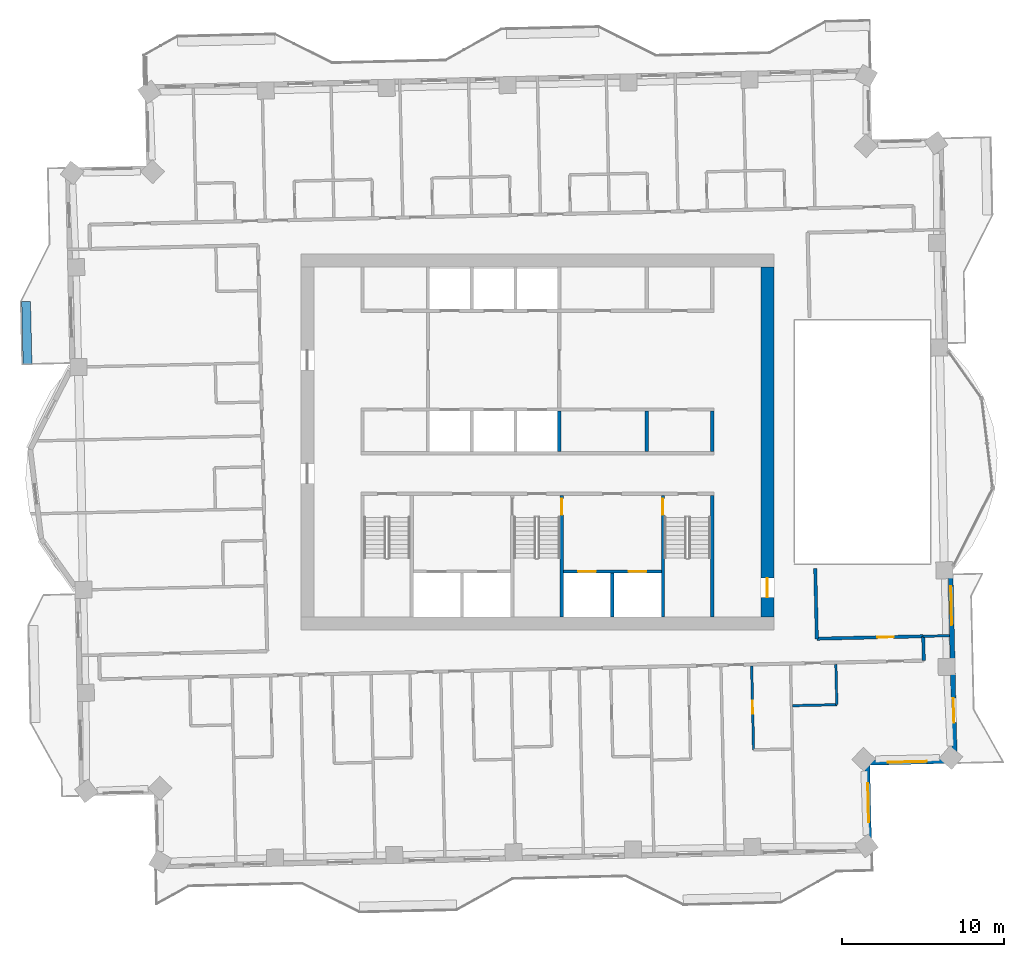
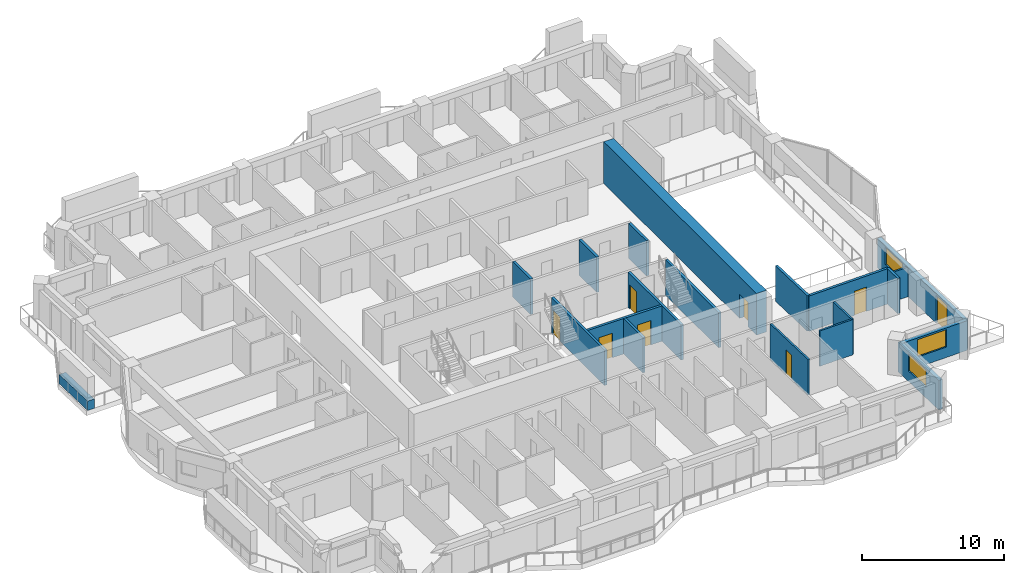
# One storey, part 9 of 17: 20 walls, 8 doors, 3 windows, 11 openings.
"""IFC4 building model written with IfcOpenShell, lengths in metres."""

from ifc_helpers import new_model, si_unit, direction, frame, frame_2d, origin, place, context, subcontext, project, spatial, rectangle, extrude, material, layer, layer_set, type_object, element, fill, save


model = new_model("IFC4")

# Units and contexts
model_context = context("Model", 3, precision=1e-05, world=origin(), true_north=direction((0.0, 1.0)))
body_context = subcontext(model_context, "Body", "Model", "MODEL_VIEW")
ifc_project = project(units=[si_unit("LENGTHUNIT", "METRE"), si_unit("AREAUNIT", "SQUARE_METRE"), si_unit("VOLUMEUNIT", "CUBIC_METRE"), si_unit("PLANEANGLEUNIT", "RADIAN"), si_unit("MASSUNIT", "GRAM", prefix="KILO")], contexts=[model_context])

# Site, building, storey
site_placement = place(None, origin())
site = spatial("IfcSite", under=ifc_project, at=site_placement, CompositionType="ELEMENT")
building_placement = place(site_placement, origin())
building = spatial("IfcBuilding", under=site, at=building_placement, Name="Mangrove Gate Tower", CompositionType="ELEMENT")
storey_placement = place(building_placement, frame((0.0, 0.0, 249.10009765625)))
storey = spatial("IfcBuildingStorey", under=building, at=storey_placement, Name="L63", CompositionType="ELEMENT", Elevation=249.10009765625)

# Walls
ifc_material_1 = material(Name="Concrete C32/40", Category="concrete")
ifc_layer_1 = layer(ifc_material_1, 0.199951171875)
ifc_layer_set_1 = layer_set([ifc_layer_1], Name="Core room wall 200 C32/40")
wall_type_1 = type_object("IfcWallType", Name="Core room wall 200 C32/40", PredefinedType="STANDARD", material=ifc_layer_set_1)
for number, where, z_axis, x_axis, name in (
    (1, (6.75, -0.60009765625, 0.0), (0.0, 0.0, 1.0), (0.0, 1.0, 0.0), "WALL-L63-CORE-24"),
    (2, (10.800048828125, -0.60009765625, 0.0), (0.0, 0.0, 1.0), (0.0, 1.0, 0.0), "WALL-L63-CORE-25"),
):
    element("IfcWall", number, at=place(storey_placement, frame(where, z_axis=z_axis, x_axis=x_axis)), inside=storey, type_object=wall_type_1, Name=name, PredefinedType="STANDARD", context=body_context, shape_type="SweptSolid", body=[
        extrude(rectangle(XDim=2.5, YDim=0.199951171875, at=frame_2d((1.25, 0.0))), origin(), (0.0, 0.0, 1.0), 3.0498046875),
    ])

# Wall, openings, doors
ifc_material_2 = material(Name="Concrete C60/75", Category="concrete")
ifc_layer_2 = layer(ifc_material_2, 0.199951171875)
ifc_layer_set_2 = layer_set([ifc_layer_2], Name="Core shaft wall 200 C60/75")
wall_type_2 = type_object("IfcWallType", Name="Core shaft wall 200 C60/75", PredefinedType="SHEAR", material=ifc_layer_set_2)
wall_1_placement = place(storey_placement, frame((1.60009765625, -8.0, 0.0), z_axis=(0.0, 0.0, 1.0), x_axis=(1.0, 0.0, 0.0)))
wall_1 = element("IfcWall", 3, at=wall_1_placement, inside=storey, type_object=wall_type_2, Name="WALL-L63-CORE-17", PredefinedType="SHEAR", context=body_context, shape_type="SweptSolid", body=[
    extrude(rectangle(XDim=6.0498046875, YDim=0.199951171875, at=frame_2d((3.02490234375, 0.0))), origin(), (0.0, 0.0, 1.0), 3.0498046875),
])
opening_1_placement = place(wall_1_placement, frame((0.91259765625, 0.0, 0.0)))
opening_1 = element("IfcOpeningElement", 4, at=opening_1_placement, cuts=wall_1, Name="Opening LD", PredefinedType="OPENING", context=body_context, shape_type="SweptSolid", body=[
    extrude(rectangle(XDim=1.10009765625, YDim=2.10009765625, at=frame_2d((0.550048828125, 1.050048828125))), frame((0.0, 0.10986328125, 0.0), z_axis=(0.0, -1.0, 0.0), x_axis=(1.0, 0.0, 0.0)), (0.0, 0.0, 1.0), 0.219970703125),
])
opening_2_placement = place(wall_1_placement, frame((4.03759765625, 0.0, 0.0)))
opening_2 = element("IfcOpeningElement", 5, at=opening_2_placement, cuts=wall_1, Name="Opening LD", PredefinedType="OPENING", context=body_context, shape_type="SweptSolid", body=[
    extrude(rectangle(XDim=1.10009765625, YDim=2.10009765625, at=frame_2d((0.550048828125, 1.050048828125))), frame((0.0, 0.10986328125, 0.0), z_axis=(0.0, -1.0, 0.0), x_axis=(1.0, 0.0, 0.0)), (0.0, 0.0, 1.0), 0.219970703125),
])
ifc_material_3 = material(Name="Stainless steel 316", Category="steel")
door_type_1 = type_object("IfcDoorType", Name="Lift landing door 1100x2100", OperationType="SLIDING_TO_LEFT", PredefinedType="DOOR", material=ifc_material_3)
door_1_placement = place(opening_1_placement, origin())
door_1 = element("IfcDoor", 6, at=door_1_placement, inside=storey, type_object=door_type_1, Name="Landing door LD FFL1", OperationType="SLIDING_TO_LEFT", OverallHeight=2.10009765625, OverallWidth=1.10009765625, PredefinedType="DOOR", context=body_context, shape_type="SweptSolid", body=[
    extrude(rectangle(XDim=1.10009765625, YDim=2.10009765625, at=frame_2d((0.550048828125, 1.050048828125))), frame((0.0, 0.02490234375, 0.0), z_axis=(0.0, -1.0, 0.0), x_axis=(1.0, 0.0, 0.0)), (0.0, 0.0, 1.0), 0.050048828125),
])
fill(opening_1, door_1)
door_2_placement = place(opening_2_placement, origin())
door_2 = element("IfcDoor", 7, at=door_2_placement, inside=storey, type_object=door_type_1, Name="Landing door LD FFL2", OperationType="SLIDING_TO_LEFT", OverallHeight=2.10009765625, OverallWidth=1.10009765625, PredefinedType="DOOR", context=body_context, shape_type="SweptSolid", body=[
    extrude(rectangle(XDim=1.10009765625, YDim=2.10009765625, at=frame_2d((0.550048828125, 1.050048828125))), frame((0.0, 0.02490234375, 0.0), z_axis=(0.0, -1.0, 0.0), x_axis=(1.0, 0.0, 0.0)), (0.0, 0.0, 1.0), 0.050048828125),
])
fill(opening_2, door_2)

# Walls
wall_2_placement = place(storey_placement, frame((4.625, -10.800048828125, 0.0), z_axis=(0.0, 0.0, 1.0), x_axis=(0.0, 1.0, 0.0)))
element("IfcWall", 8, at=wall_2_placement, inside=storey, type_object=wall_type_2, Name="WALL-L63-CORE-18", PredefinedType="SHEAR", context=body_context, shape_type="SweptSolid", body=[
    extrude(rectangle(XDim=2.699951171875, YDim=0.199951171875, at=frame_2d((1.35009765625, 0.0))), origin(), (0.0, 0.0, 1.0), 3.0498046875),
])
wall_3_placement = place(storey_placement, frame((1.35009765625, -0.60009765625, 0.0), z_axis=(0.0, 0.0, 1.0), x_axis=(0.0, 1.0, 0.0)))
element("IfcWall", 9, at=wall_3_placement, inside=storey, type_object=wall_type_2, Name="WALL-L63-CORE-23", PredefinedType="SHEAR", context=body_context, shape_type="SweptSolid", body=[
    extrude(rectangle(XDim=2.5, YDim=0.199951171875, at=frame_2d((1.25, 0.0))), origin(), (0.0, 0.0, 1.0), 3.0498046875),
])

# Wall, opening, door
ifc_material_4 = material(Name="Concrete C60/75", Category="concrete")
ifc_layer_3 = layer(ifc_material_4, 0.199951171875)
ifc_layer_set_3 = layer_set([ifc_layer_3], Name="Core stair wall 200 C60/75")
wall_type_3 = type_object("IfcWallType", Name="Core stair wall 200 C60/75", PredefinedType="SHEAR", material=ifc_layer_set_3)
wall_4_placement = place(storey_placement, frame((1.5, -10.800048828125, 0.0), z_axis=(0.0, 0.0, 1.0), x_axis=(0.0, 1.0, 0.0)))
wall_4 = element("IfcWall", 10, at=wall_4_placement, inside=storey, type_object=wall_type_3, Name="WALL-L63-CORE-12", PredefinedType="SHEAR", context=body_context, shape_type="SweptSolid", body=[
    extrude(rectangle(XDim=7.5, YDim=0.199951171875, at=frame_2d((3.75, 0.0))), origin(), (0.0, 0.0, 1.0), 3.0498046875),
])
opening_3_placement = place(wall_4_placement, frame((6.300048828125, 0.0, 0.0)))
opening_3 = element("IfcOpeningElement", 11, at=opening_3_placement, cuts=wall_4, Name="Opening STD10", PredefinedType="OPENING", context=body_context, shape_type="SweptSolid", body=[
    extrude(rectangle(XDim=1.0, YDim=2.10009765625, at=frame_2d((0.5, 1.050048828125))), frame((0.0, 0.10986328125, 0.0), z_axis=(0.0, -1.0, 0.0), x_axis=(1.0, 0.0, 0.0)), (0.0, 0.0, 1.0), 0.219970703125),
])
ifc_material_5 = material(Name="Fire-rated steel door set", Category="steel")
door_type_2 = type_object("IfcDoorType", Name="Stair door FD60 1000x2100", OperationType="SINGLE_SWING_RIGHT", PredefinedType="DOOR", material=ifc_material_5)
door_3_placement = place(opening_3_placement, origin())
door_3 = element("IfcDoor", 12, at=door_3_placement, inside=storey, type_object=door_type_2, Name="Stair door Stair 2 from fire-fighting lobby", OperationType="SINGLE_SWING_RIGHT", OverallHeight=2.10009765625, OverallWidth=1.0, PredefinedType="DOOR", context=body_context, shape_type="SweptSolid", body=[
    extrude(rectangle(XDim=1.0, YDim=2.10009765625, at=frame_2d((0.5, 1.050048828125))), frame((0.0, 0.02490234375, 0.0), z_axis=(0.0, -1.0, 0.0), x_axis=(1.0, 0.0, 0.0)), (0.0, 0.0, 1.0), 0.050048828125),
])
fill(opening_3, door_3)

wall_5_placement = place(storey_placement, frame((7.75, -10.800048828125, 0.0), z_axis=(0.0, 0.0, 1.0), x_axis=(0.0, 1.0, 0.0)))
wall_5 = element("IfcWall", 13, at=wall_5_placement, inside=storey, type_object=wall_type_3, Name="WALL-L63-CORE-13", PredefinedType="SHEAR", context=body_context, shape_type="SweptSolid", body=[
    extrude(rectangle(XDim=7.5, YDim=0.199951171875, at=frame_2d((3.75, 0.0))), origin(), (0.0, 0.0, 1.0), 3.0498046875),
])
opening_4_placement = place(wall_5_placement, frame((6.300048828125, 0.0, 0.0)))
opening_4 = element("IfcOpeningElement", 14, at=opening_4_placement, cuts=wall_5, Name="Opening STD10", PredefinedType="OPENING", context=body_context, shape_type="SweptSolid", body=[
    extrude(rectangle(XDim=1.0, YDim=2.10009765625, at=frame_2d((0.5, 1.050048828125))), frame((0.0, 0.10986328125, 0.0), z_axis=(0.0, -1.0, 0.0), x_axis=(1.0, 0.0, 0.0)), (0.0, 0.0, 1.0), 0.219970703125),
])
door_4_placement = place(opening_4_placement, origin())
door_4 = element("IfcDoor", 15, at=door_4_placement, inside=storey, type_object=door_type_2, Name="Stair door Stair 3 from fire-fighting lobby", OperationType="SINGLE_SWING_RIGHT", OverallHeight=2.10009765625, OverallWidth=1.0, PredefinedType="DOOR", context=body_context, shape_type="SweptSolid", body=[
    extrude(rectangle(XDim=1.0, YDim=2.10009765625, at=frame_2d((0.5, 1.050048828125))), frame((0.0, 0.02490234375, 0.0), z_axis=(0.0, -1.0, 0.0), x_axis=(1.0, 0.0, 0.0)), (0.0, 0.0, 1.0), 0.050048828125),
])
fill(opening_4, door_4)

# Wall
wall_6_placement = place(storey_placement, frame((10.800048828125, -10.800048828125, 0.0), z_axis=(0.0, 0.0, 1.0), x_axis=(0.0, 1.0, 0.0)))
element("IfcWall", 16, at=wall_6_placement, inside=storey, type_object=wall_type_3, Name="WALL-L63-CORE-14", PredefinedType="SHEAR", context=body_context, shape_type="SweptSolid", body=[
    extrude(rectangle(XDim=7.5, YDim=0.199951171875, at=frame_2d((3.75, 0.0))), origin(), (0.0, 0.0, 1.0), 3.0498046875),
])

# Wall, opening, door
ifc_material_6 = material(Name="Concrete C60/75", Category="concrete")
ifc_layer_4 = layer(ifc_material_6, 0.800048828125)
ifc_layer_set_4 = layer_set([ifc_layer_4], Name="Core wall 800 C60/75")
wall_type_4 = type_object("IfcWallType", Name="Core wall 800 C60/75", PredefinedType="SHEAR", material=ifc_layer_set_4)
wall_7_placement = place(storey_placement, frame((14.199951171875, -10.800048828125, 0.0), z_axis=(0.0, 0.0, 1.0), x_axis=(0.0, 1.0, 0.0)))
wall_7 = element("IfcWall", 17, at=wall_7_placement, inside=storey, type_object=wall_type_4, Name="WALL-L63-CORE-4", PredefinedType="SHEAR", context=body_context, shape_type="SweptSolid", body=[
    extrude(rectangle(XDim=21.60009765625, YDim=0.800048828125, at=frame_2d((10.800048828125, 0.0))), origin(), (0.0, 0.0, 1.0), 3.599853515625),
])
opening_5_placement = place(wall_7_placement, frame((1.199951171875, 0.0, 0.0)))
opening_5 = element("IfcOpeningElement", 18, at=opening_5_placement, cuts=wall_7, Name="Opening CD", PredefinedType="OPENING", context=body_context, shape_type="SweptSolid", body=[
    extrude(rectangle(XDim=1.199951171875, YDim=2.10009765625, at=frame_2d((0.60009765625, 1.050048828125))), frame((0.0, 0.409912109375, 0.0), z_axis=(0.0, -1.0, 0.0), x_axis=(1.0, 0.0, 0.0)), (0.0, 0.0, 1.0), 0.820068359375),
])
ifc_material_7 = material(Name="Fire-rated steel door set", Category="steel")
door_type_3 = type_object("IfcDoorType", Name="Core ring door FD60 1200x2100", OperationType="DOUBLE_DOOR_SINGLE_SWING", PredefinedType="DOOR", material=ifc_material_7)
door_5_placement = place(opening_5_placement, origin())
door_5 = element("IfcDoor", 19, at=door_5_placement, inside=storey, type_object=door_type_3, Name="Core ring door E1", OperationType="DOUBLE_DOOR_SINGLE_SWING", OverallHeight=2.10009765625, OverallWidth=1.199951171875, PredefinedType="DOOR", context=body_context, shape_type="SweptSolid", body=[
    extrude(rectangle(XDim=1.199951171875, YDim=2.10009765625, at=frame_2d((0.60009765625, 1.050048828125))), frame((0.0, 0.02490234375, 0.0), z_axis=(0.0, -1.0, 0.0), x_axis=(1.0, 0.0, 0.0)), (0.0, 0.0, 1.0), 0.050048828125),
])
fill(opening_5, door_5)

# Walls
ifc_material_8 = material(Name="Gypsum board on steel stud, EI 60", Category="steel")
ifc_layer_5 = layer(ifc_material_8, 0.199951171875)
ifc_layer_set_5 = layer_set([ifc_layer_5], Name="Corridor wall EI 60")
wall_type_5 = type_object("IfcWallType", Name="Corridor wall EI 60", PredefinedType="PARTITIONING", material=ifc_layer_set_5)
wall_8_placement = place(storey_placement, frame((23.85498046875, -13.5, 0.0), z_axis=(0.0, 0.0, 1.0), x_axis=(-0.022617910375, 0.999744182344, 0.0)))
element("IfcWall", 20, at=wall_8_placement, inside=storey, type_object=wall_type_5, Name="WALL-L63-031", PredefinedType="PARTITIONING", context=body_context, shape_type="SweptSolid", body=[
    extrude(rectangle(XDim=1.50048828125, YDim=0.199951171875, at=frame_2d((0.750244140625, 0.0))), origin(), (0.0, 0.0, 1.0), 3.0498046875),
])
wall_9_placement = place(storey_placement, frame((17.2529296875, -12.14892578125, 0.0), z_axis=(0.0, 0.0, 1.0), x_axis=(-0.022578158225, 0.999745080894, 0.0)))
element("IfcWall", 21, at=wall_9_placement, inside=storey, type_object=wall_type_5, Name="WALL-L63-034", PredefinedType="PARTITIONING", context=body_context, shape_type="SweptSolid", body=[
    extrude(rectangle(XDim=4.336181640625, YDim=0.199951171875, at=frame_2d((2.16796875, 0.0))), origin(), (0.0, 0.0, 1.0), 3.0498046875),
])

# Wall, opening, door
wall_10_placement = place(storey_placement, frame((17.248046875, -12.14501953125, 0.0), z_axis=(0.0, 0.0, 1.0), x_axis=(0.999743348025, 0.022654758434, 0.0)))
wall_10 = element("IfcWall", 22, at=wall_10_placement, inside=storey, type_object=wall_type_5, Name="WALL-L63-037", PredefinedType="PARTITIONING", context=body_context, shape_type="SweptSolid", body=[
    extrude(rectangle(XDim=6.57373046875, YDim=0.199951171875, at=frame_2d((3.286865234375, 0.0))), origin(), (0.0, 0.0, 1.0), 3.0498046875),
])
opening_6_placement = place(wall_10_placement, frame((3.75, 0.0, 0.0)))
opening_6 = element("IfcOpeningElement", 23, at=opening_6_placement, cuts=wall_10, Name="Opening AD", PredefinedType="OPENING", context=body_context, shape_type="SweptSolid", body=[
    extrude(rectangle(XDim=1.0, YDim=2.10009765625, at=frame_2d((0.5, 1.050048828125))), frame((0.0, 0.10986328125, 0.0), z_axis=(0.0, -1.0, 0.0), x_axis=(1.0, 0.0, 0.0)), (0.0, 0.0, 1.0), 0.219970703125),
])
ifc_material_9 = material(Name="Timber door leaf", Category="wood")
door_type_4 = type_object("IfcDoorType", Name="Amenity door 1000", OperationType="SINGLE_SWING_LEFT", PredefinedType="DOOR", material=ifc_material_9)
door_6_placement = place(opening_6_placement, origin())
door_6 = element("IfcDoor", 24, at=door_6_placement, inside=storey, type_object=door_type_4, Name="DOOR-L63-KIT-c3b", OperationType="SINGLE_SWING_LEFT", OverallHeight=2.10009765625, OverallWidth=1.0, PredefinedType="DOOR", context=body_context, shape_type="SweptSolid", body=[
    extrude(rectangle(XDim=1.0, YDim=2.10009765625, at=frame_2d((0.5, 1.050048828125))), frame((0.0, 0.02490234375, 0.0), z_axis=(0.0, -1.0, 0.0), x_axis=(1.0, 0.0, 0.0)), (0.0, 0.0, 1.0), 0.050048828125),
])
fill(opening_6, door_6)

# Wall, openings, door, window
ifc_material_10 = material(Name="Limestone", Category="masonry")
ifc_layer_6 = layer(ifc_material_10, 0.0400390625, Name="Limestone cladding")
ifc_material_11 = material(Name="Ventilated air gap")
ifc_layer_7 = layer(ifc_material_11, 0.0400390625, Name="Ventilated cavity")
ifc_material_12 = material(Name="Mineral wool insulation")
ifc_layer_8 = layer(ifc_material_12, 0.06005859375, Name="Insulation")
ifc_material_13 = material(Name="Breather membrane")
ifc_layer_9 = layer(ifc_material_13, 0.001953125, Name="Breather membrane")
ifc_material_14 = material(Name="Concrete C20/25 blockwork", Category="masonry")
ifc_layer_10 = layer(ifc_material_14, 0.14990234375, Name="Blockwork backing wall")
ifc_material_15 = material(Name="Gypsum plaster")
ifc_layer_11 = layer(ifc_material_15, 0.008056640625, Name="Internal plaster")
ifc_layer_set_6 = layer_set([ifc_layer_6, ifc_layer_7, ifc_layer_8, ifc_layer_9, ifc_layer_10, ifc_layer_11], Name="External wall 300 limestone cladding")
wall_type_6 = type_object("IfcWallType", Name="External wall 300 limestone cladding", PredefinedType="SOLIDWALL", material=ifc_layer_set_6)
wall_11_placement = place(storey_placement, frame((25.77001953125, -19.68408203125, 0.0), z_axis=(0.0, 0.0, 1.0), x_axis=(-0.022659525999, 0.999743239978, 0.0)))
wall_11 = element("IfcWall", 25, at=wall_11_placement, inside=storey, type_object=wall_type_6, Name="WALL-L63-E0", PredefinedType="SOLIDWALL", context=body_context, shape_type="SweptSolid", body=[
    extrude(rectangle(XDim=11.830078125, YDim=0.300048828125, at=frame_2d((5.9150390625, 0.0))), origin(), (0.0, 0.0, 1.0), 2.5498046875),
])
opening_7_placement = place(wall_11_placement, frame((2.365966796875, 0.0, 0.0)))
opening_7 = element("IfcOpeningElement", 26, at=opening_7_placement, cuts=wall_11, Name="Opening BD1", PredefinedType="OPENING", context=body_context, shape_type="SweptSolid", body=[
    extrude(rectangle(XDim=1.5, YDim=2.39990234375, at=frame_2d((0.75, 1.199951171875))), frame((0.0, 0.159912109375, 0.0), z_axis=(0.0, -1.0, 0.0), x_axis=(1.0, 0.0, 0.0)), (0.0, 0.0, 1.0), 0.320068359375),
])
opening_8_placement = place(wall_11_placement, frame((8.387939453125, 0.0, 0.89990234375)))
opening_8 = element("IfcOpeningElement", 27, at=opening_8_placement, cuts=wall_11, Name="Opening W2", PredefinedType="OPENING", context=body_context, shape_type="SweptSolid", body=[
    extrude(rectangle(XDim=2.39990234375, YDim=1.5, at=frame_2d((1.199951171875, 0.75))), frame((0.0, 0.159912109375, 0.0), z_axis=(0.0, -1.0, 0.0), x_axis=(1.0, 0.0, 0.0)), (0.0, 0.0, 1.0), 0.320068359375),
])
ifc_material_16 = material(Name="Aluminium frame with laminated clear glass", Category="aluminium")
door_type_5 = type_object("IfcDoorType", Name="Balcony sliding door 1500x2400", OperationType="SLIDING_TO_LEFT", PredefinedType="DOOR", material=ifc_material_16)
door_7_placement = place(opening_7_placement, origin())
door_7 = element("IfcDoor", 28, at=door_7_placement, inside=storey, type_object=door_type_5, Name="DOOR-L63-E0-1", OperationType="SLIDING_TO_LEFT", OverallHeight=2.39990234375, OverallWidth=1.5, PredefinedType="DOOR", context=body_context, shape_type="SweptSolid", body=[
    extrude(rectangle(XDim=1.5, YDim=2.39990234375, at=frame_2d((0.75, 1.199951171875))), frame((0.0, 0.02490234375, 0.0), z_axis=(0.0, -1.0, 0.0), x_axis=(1.0, 0.0, 0.0)), (0.0, 0.0, 1.0), 0.050048828125),
])
fill(opening_7, door_7)
ifc_material_17 = material(Name="Aluminium frame with double-glazed low-e glass", Category="aluminium")
window_type = type_object("IfcWindowType", Name="Corner room window 2400x1500", PartitioningType="DOUBLE_PANEL_VERTICAL", PredefinedType="WINDOW", material=ifc_material_17)
window_1_placement = place(opening_8_placement, origin())
window_1 = element("IfcWindow", 29, at=window_1_placement, inside=storey, type_object=window_type, Name="WIN-L63-E0-2", OverallHeight=1.5, OverallWidth=2.39990234375, PartitioningType="DOUBLE_PANEL_VERTICAL", PredefinedType="WINDOW", context=body_context, shape_type="SweptSolid", body=[
    extrude(rectangle(XDim=2.39990234375, YDim=1.5, at=frame_2d((1.199951171875, 0.75))), frame((0.0, 0.030029296875, 0.0), z_axis=(0.0, -1.0, 0.0), x_axis=(1.0, 0.0, 0.0)), (0.0, 0.0, 1.0), 0.06005859375),
])
fill(opening_8, window_1)

# Wall, opening, window
wall_12_placement = place(storey_placement, frame((20.493896484375, -25.205078125, 0.0), z_axis=(0.0, 0.0, 1.0), x_axis=(-0.022675486817, 0.999742878093, 0.0)))
wall_12 = element("IfcWall", 30, at=wall_12_placement, inside=storey, type_object=wall_type_6, Name="WALL-L63-E14s1", PredefinedType="SOLIDWALL", context=body_context, shape_type="SweptSolid", body=[
    extrude(rectangle(XDim=5.5556640625, YDim=0.300048828125, at=frame_2d((2.77783203125, 0.0))), origin(), (0.0, 0.0, 1.0), 2.5498046875),
])
opening_9_placement = place(wall_12_placement, frame((1.742919921875, 0.0, 0.89990234375)))
opening_9 = element("IfcOpeningElement", 31, at=opening_9_placement, cuts=wall_12, Name="Opening W2", PredefinedType="OPENING", context=body_context, shape_type="SweptSolid", body=[
    extrude(rectangle(XDim=2.39990234375, YDim=1.5, at=frame_2d((1.199951171875, 0.75))), frame((0.0, 0.159912109375, 0.0), z_axis=(0.0, -1.0, 0.0), x_axis=(1.0, 0.0, 0.0)), (0.0, 0.0, 1.0), 0.320068359375),
])
window_2_placement = place(opening_9_placement, origin())
window_2 = element("IfcWindow", 32, at=window_2_placement, inside=storey, type_object=window_type, Name="WIN-L63-E14-1", OverallHeight=1.5, OverallWidth=2.39990234375, PartitioningType="DOUBLE_PANEL_VERTICAL", PredefinedType="WINDOW", context=body_context, shape_type="SweptSolid", body=[
    extrude(rectangle(XDim=2.39990234375, YDim=1.5, at=frame_2d((1.199951171875, 0.75))), frame((0.0, 0.030029296875, 0.0), z_axis=(0.0, -1.0, 0.0), x_axis=(1.0, 0.0, 0.0)), (0.0, 0.0, 1.0), 0.06005859375),
])
fill(opening_9, window_2)

wall_13_placement = place(storey_placement, frame((20.3720703125, -19.805908203125, 0.0), z_axis=(0.0, 0.0, 1.0), x_axis=(0.999745417973, 0.02256322766, 0.0)))
wall_13 = element("IfcWall", 33, at=wall_13_placement, inside=storey, type_object=wall_type_6, Name="WALL-L63-S15", PredefinedType="SOLIDWALL", context=body_context, shape_type="SweptSolid", body=[
    extrude(rectangle(XDim=5.3994140625, YDim=0.300048828125, at=frame_2d((2.69970703125, 0.0))), origin(), (0.0, 0.0, 1.0), 2.5498046875),
])
opening_10_placement = place(wall_13_placement, frame((1.27099609375, 0.0, 0.89990234375)))
opening_10 = element("IfcOpeningElement", 34, at=opening_10_placement, cuts=wall_13, Name="Opening W2", PredefinedType="OPENING", context=body_context, shape_type="SweptSolid", body=[
    extrude(rectangle(XDim=2.39990234375, YDim=1.5, at=frame_2d((1.199951171875, 0.75))), frame((0.0, 0.159912109375, 0.0), z_axis=(0.0, -1.0, 0.0), x_axis=(1.0, 0.0, 0.0)), (0.0, 0.0, 1.0), 0.320068359375),
])
window_3_placement = place(opening_10_placement, origin())
window_3 = element("IfcWindow", 35, at=window_3_placement, inside=storey, type_object=window_type, Name="WIN-L63-S15-1", OverallHeight=1.5, OverallWidth=2.39990234375, PartitioningType="DOUBLE_PANEL_VERTICAL", PredefinedType="WINDOW", context=body_context, shape_type="SweptSolid", body=[
    extrude(rectangle(XDim=2.39990234375, YDim=1.5, at=frame_2d((1.199951171875, 0.75))), frame((0.0, 0.030029296875, 0.0), z_axis=(0.0, -1.0, 0.0), x_axis=(1.0, 0.0, 0.0)), (0.0, 0.0, 1.0), 0.06005859375),
])
fill(opening_10, window_3)

# Wall, opening, door
ifc_material_18 = material(Name="Gypsum board on steel stud, EI 60", Category="steel")
ifc_layer_12 = layer(ifc_material_18, 0.14990234375)
ifc_layer_set_7 = layer_set([ifc_layer_12], Name="Party wall 150 EI 60")
wall_type_7 = type_object("IfcWallType", Name="Party wall 150 EI 60", PredefinedType="PARTITIONING", material=ifc_layer_set_7)
wall_14_placement = place(storey_placement, frame((13.347900390625, -19.009033203125, 0.0), z_axis=(0.0, 0.0, 1.0), x_axis=(-0.022811522835, 0.999739783357, 0.0)))
wall_14 = element("IfcWall", 36, at=wall_14_placement, inside=storey, type_object=wall_type_7, Name="WALL-L63-019", PredefinedType="PARTITIONING", context=body_context, shape_type="SweptSolid", body=[
    extrude(rectangle(XDim=5.16943359375, YDim=0.14990234375, at=frame_2d((2.584716796875, 0.0))), origin(), (0.0, 0.0, 1.0), 3.0498046875),
])
opening_11_placement = place(wall_14_placement, frame((2.235107421875, 0.0, 0.0)))
opening_11 = element("IfcOpeningElement", 37, at=opening_11_placement, cuts=wall_14, Name="Opening ED", PredefinedType="OPENING", context=body_context, shape_type="SweptSolid", body=[
    extrude(rectangle(XDim=0.800048828125, YDim=2.10009765625, at=frame_2d((0.39990234375, 1.050048828125))), frame((0.0, 0.0849609375, 0.0), z_axis=(0.0, -1.0, 0.0), x_axis=(1.0, 0.0, 0.0)), (0.0, 0.0, 1.0), 0.169921875),
])
ifc_material_19 = material(Name="Timber door leaf", Category="wood")
door_type_6 = type_object("IfcDoorType", Name="En-suite door 800", OperationType="SINGLE_SWING_LEFT", PredefinedType="DOOR", material=ifc_material_19)
door_8_placement = place(opening_11_placement, origin())
door_8 = element("IfcDoor", 38, at=door_8_placement, inside=storey, type_object=door_type_6, Name="DOOR-L63-ENS-c308", OperationType="SINGLE_SWING_RIGHT", OverallHeight=2.10009765625, OverallWidth=0.800048828125, PredefinedType="DOOR", context=body_context, shape_type="SweptSolid", body=[
    extrude(rectangle(XDim=0.800048828125, YDim=2.10009765625, at=frame_2d((0.39990234375, 1.050048828125))), frame((0.0, 0.02490234375, 0.0), z_axis=(0.0, -1.0, 0.0), x_axis=(1.0, 0.0, 0.0)), (0.0, 0.0, 1.0), 0.050048828125),
])
fill(opening_11, door_8)

# Walls
wall_15_placement = place(storey_placement, frame((18.486083984375, -16.221923828125, 0.0), z_axis=(0.0, 0.0, 1.0), x_axis=(-0.022854521249, 0.999738801317, 0.0)))
element("IfcWall", 39, at=wall_15_placement, inside=storey, type_object=wall_type_7, Name="WALL-L63-028", PredefinedType="PARTITIONING", context=body_context, shape_type="SweptSolid", body=[
    extrude(rectangle(XDim=2.499755859375, YDim=0.14990234375, at=frame_2d((1.25, 0.0))), origin(), (0.0, 0.0, 1.0), 3.0498046875),
])
wall_16_placement = place(storey_placement, frame((15.757080078125, -16.280029296875, 0.0), z_axis=(0.0, 0.0, 1.0), x_axis=(0.99974114142, 0.022751926344, 0.0)))
element("IfcWall", 40, at=wall_16_placement, inside=storey, type_object=wall_type_7, Name="WALL-L63-029", PredefinedType="PARTITIONING", context=body_context, shape_type="SweptSolid", body=[
    extrude(rectangle(XDim=2.7255859375, YDim=0.14990234375, at=frame_2d((1.36279296875, 0.0))), origin(), (0.0, 0.0, 1.0), 3.0498046875),
])
wall_17_placement = place(storey_placement, frame((23.820068359375, -11.99609375, 0.0), z_axis=(0.0, 0.0, 1.0), x_axis=(0.9997393482, 0.022830586077, 0.0)))
element("IfcWall", 41, at=wall_17_placement, inside=storey, type_object=wall_type_7, Name="WALL-L63-038", PredefinedType="PARTITIONING", context=body_context, shape_type="SweptSolid", body=[
    extrude(rectangle(XDim=1.62548828125, YDim=0.14990234375, at=frame_2d((0.812744140625, 0.0))), origin(), (0.0, 0.0, 1.0), 2.5498046875),
])
ifc_material_20 = material(Name="Concrete C32/40", Category="concrete")
ifc_layer_13 = layer(ifc_material_20, 0.199951171875, Name="Planter trough wall")
ifc_material_21 = material(Name="Bituminous waterproofing membrane")
ifc_layer_14 = layer(ifc_material_21, 0.0048828125, Name="Waterproofing")
ifc_material_22 = material(Name="Drainage board and gravel")
ifc_layer_15 = layer(ifc_material_22, 0.044921875, Name="Drainage layer")
ifc_material_23 = material(Name="Planting soil")
ifc_layer_16 = layer(ifc_material_23, 0.300048828125, Name="Growing medium")
ifc_layer_set_8 = layer_set([ifc_layer_13, ifc_layer_14, ifc_layer_15, ifc_layer_16], Name="Planter wall 550 C32/40")
wall_type_8 = type_object("IfcWallType", Name="Planter wall 550 C32/40", PredefinedType="USERDEFINED", material=ifc_layer_set_8)
wall_18_placement = place(storey_placement, frame((-31.472900390625, 4.799072265625, 0.0), z_axis=(0.0, 0.0, 1.0), x_axis=(-0.022744303924, 0.999741314861, 0.0)))
element("IfcWall", 42, at=wall_18_placement, inside=storey, type_object=wall_type_8, Name="PLANTER L63 W0.1", ObjectType="PLANTER", PredefinedType="USERDEFINED", context=body_context, shape_type="SweptSolid", body=[
    extrude(rectangle(XDim=3.875, YDim=0.550048828125, at=frame_2d((1.9375, 0.0))), origin(), (0.0, 0.0, 1.0), 0.7998046875),
])

save(model, "model.ifc")
